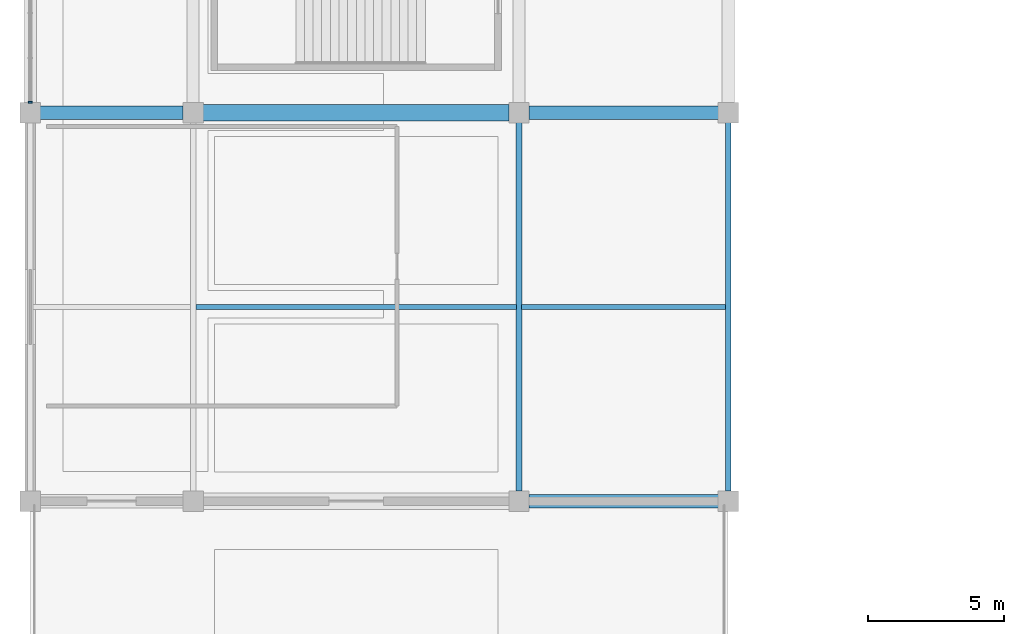
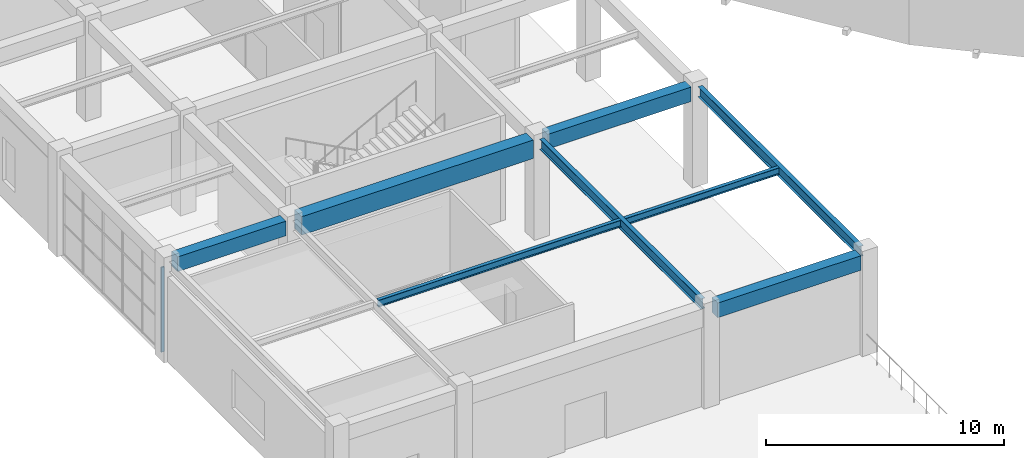
# One storey, part 11 of 70: 8 beams, 1 member, 1 element without a shape of its own.
"""IFC4 building model written with IfcOpenShell, lengths in metres."""

import ifcopenshell
import ifcopenshell.guid

model = None  # the IFC model being written
_history = None  # IfcOwnerHistory: only IFC2X3 demands one
_inside = {}  # id of a spatial element -> (the spatial element, [elements in it])
_under = {}  # id of a project, library or spatial element -> (it, [spatial elements below it])
_declared = {}  # id of a project -> (the project, [libraries it declares])
_typed = {}  # id of a type object -> (the type object, [elements of that type])
_made_of = {}  # id of a material, layer set ... -> (it, [elements and type objects made of it])


def new_model(schema):
    """Start an empty IFC model of exactly this schema.

    Asked for "IFC4X3", IfcOpenShell would pick the latest addendum, in which some entities
    have other attributes; the version numbers below select the first issue.
    IFC2X3 requires an IfcOwnerHistory on every rooted entity: one is made here for all.
    """
    global model, _history
    if schema == "IFC4X3":
        model = ifcopenshell.file(schema_version=(4, 3, 0, 0))
    else:
        model = ifcopenshell.file(schema=schema)
    _inside.clear()
    _under.clear()
    _declared.clear()
    _typed.clear()
    _made_of.clear()
    _history = None
    if model.schema == "IFC2X3":
        org = make("IfcOrganization", Name="unknown")
        user = make(
            "IfcPersonAndOrganization",
            ThePerson=make("IfcPerson", FamilyName="unknown"),
            TheOrganization=org,
        )
        app = make(
            "IfcApplication",
            ApplicationDeveloper=org,
            Version="unknown",
            ApplicationFullName="unknown",
            ApplicationIdentifier="unknown",
        )
        _history = make(
            "IfcOwnerHistory",
            OwningUser=user,
            OwningApplication=app,
            ChangeAction="ADDED",
            CreationDate=0,
        )
    return model


def make(cls, **values):
    """One entity of the class cls with the attributes given. An attribute that is None is left unset."""
    return model.create_entity(
        cls, **{name: value for name, value in values.items() if value is not None}
    )


def rooted(cls, **values):
    """An entity with a GlobalId (a new one), such as an element, a storey or a relation."""
    return make(cls, GlobalId=ifcopenshell.guid.new(), OwnerHistory=_history, **values)


def si_unit(unit_type, name, prefix=None):
    """IfcSIUnit, for example si_unit("LENGTHUNIT", "METRE", prefix="MILLI")."""
    return make("IfcSIUnit", UnitType=unit_type, Prefix=prefix, Name=name)


def assignment(units):
    """IfcUnitAssignment: the units of a project."""
    return None if units is None else make("IfcUnitAssignment", Units=units)


def point(xyz):
    """IfcCartesianPoint."""
    return None if xyz is None else make("IfcCartesianPoint", Coordinates=xyz)


def direction(xyz):
    """IfcDirection."""
    return None if xyz is None else make("IfcDirection", DirectionRatios=xyz)


def frame(location, z_axis=None, x_axis=None):
    """IfcAxis2Placement3D, a coordinate frame: its origin and axes. An axis left out is left unset."""
    return make(
        "IfcAxis2Placement3D",
        Location=point(location),
        Axis=direction(z_axis),
        RefDirection=direction(x_axis),
    )


def frame_2d(location, x_axis=None):
    """IfcAxis2Placement2D, a coordinate frame in the plane: its origin and x axis."""
    return make(
        "IfcAxis2Placement2D", Location=point(location), RefDirection=direction(x_axis)
    )


def origin():
    """The frame at (0, 0, 0) with its axes left unset."""
    return frame((0.0, 0.0, 0.0))


def origin_2d():
    """The frame at (0, 0) in the plane with its x axis left unset."""
    return frame_2d((0.0, 0.0))


def place(relative_to, where):
    """IfcLocalPlacement: puts the frame where relative to a parent placement (None: the world)."""
    return make(
        "IfcLocalPlacement", PlacementRelTo=relative_to, RelativePlacement=where
    )


def context(
    kind, dimensions, precision=None, world=None, true_north=None, identifier=None
):
    """IfcGeometricRepresentationContext, for example the 3D "Model" context."""
    return make(
        "IfcGeometricRepresentationContext",
        ContextIdentifier=identifier,
        ContextType=kind,
        CoordinateSpaceDimension=dimensions,
        Precision=precision,
        WorldCoordinateSystem=world,
        TrueNorth=true_north,
    )


def subcontext(parent, identifier, kind, view, scale=None):
    """IfcGeometricRepresentationSubContext, for example "Body" below "Model"."""
    return make(
        "IfcGeometricRepresentationSubContext",
        ContextIdentifier=identifier,
        ContextType=kind,
        ParentContext=parent,
        TargetScale=scale,
        TargetView=view,
    )


def project(units=None, contexts=None):
    """IfcProject with its units and contexts."""
    return rooted(
        "IfcProject",
        Name="project",
        RepresentationContexts=contexts,
        UnitsInContext=assignment(units),
    )


def spatial(cls, under=None, at=None, **own):
    """A site, building, storey or space (cls), placed at a placement, below another one or the project."""
    s = rooted(cls, ObjectPlacement=at, **own)
    if under is not None:
        _under.setdefault(under.id(), (under, []))[1].append(s)
    return s


def profile(cls, at=None, kind="AREA", **sizes):
    """A parametric profile (cls). Its sizes go by their IFC names, for example OverallWidth=200.0."""
    return make(cls, ProfileType=kind, Position=at, **sizes)


def rectangle(**sizes):
    """IfcRectangleProfileDef."""
    return profile("IfcRectangleProfileDef", **sizes)


def i_section(**sizes):
    """IfcIShapeProfileDef."""
    return profile("IfcIShapeProfileDef", **sizes)


def extrude(swept, where, along, depth):
    """IfcExtrudedAreaSolid: the profile swept, set in the frame where, extruded along a direction by depth."""
    return make(
        "IfcExtrudedAreaSolid",
        SweptArea=swept,
        Position=where,
        ExtrudedDirection=direction(along),
        Depth=depth,
    )


def shape(context_of_items, identifier, shape_type, items):
    """IfcShapeRepresentation: the items that make up one representation, for example the "Body"."""
    return make(
        "IfcShapeRepresentation",
        ContextOfItems=context_of_items,
        RepresentationIdentifier=identifier,
        RepresentationType=shape_type,
        Items=items,
    )


def material(Name=None, Category=None):
    """IfcMaterial."""
    return make("IfcMaterial", Name=Name, Category=Category)


def material_profile(
    of_material, cross_section, Name=None, Category=None, Priority=None
):
    """IfcMaterialProfile: a cross section and its material."""
    return make(
        "IfcMaterialProfile",
        Name=Name,
        Material=of_material,
        Profile=cross_section,
        Priority=Priority,
        Category=Category,
    )


def profile_set(profiles, Name=None, composite=None):
    """IfcMaterialProfileSet."""
    return make(
        "IfcMaterialProfileSet",
        Name=Name,
        MaterialProfiles=profiles,
        CompositeProfile=composite,
    )


def made_of(thing, what):
    """Note that an element or type object is made of a material, layer set ...; save() writes the relation."""
    if what is not None:
        _made_of.setdefault(what.id(), (what, []))[1].append(thing)
    return thing


def type_object(cls, material=None, **own):
    """A type object (cls), such as IfcWallType, which elements share."""
    return made_of(rooted(cls, **own), material)


def element(
    cls,
    number,
    at=None,
    inside=None,
    cuts=None,
    type_object=None,
    material=None,
    context=None,
    identifier="Body",
    shape_type=None,
    held_by="IfcProductDefinitionShape",
    body=None,
    shapes=None,
    **own,
):
    """One element of the class cls, such as IfcWall. Its Tag is "e" and its number.

    at: its placement. inside: the storey or other place that contains it. cuts: it is an
    opening in that element (IfcRelVoidsElement). A single representation is given by context,
    identifier, shape_type and body (its items); several are given by shapes. held_by: the class
    of the entity that holds the representations. save() writes the other relations.
    """
    e = rooted(cls, Tag="e%d" % number, ObjectPlacement=at, **own)
    if body is not None:
        shapes = [shape(context, identifier, shape_type, body)]
    if shapes is not None:
        e.Representation = make(held_by, Representations=shapes)
    if inside is not None:
        _inside.setdefault(inside.id(), (inside, []))[1].append(e)
    if cuts is not None:
        rooted(
            "IfcRelVoidsElement", RelatingBuildingElement=cuts, RelatedOpeningElement=e
        )
    if type_object is not None:
        _typed.setdefault(type_object.id(), (type_object, []))[1].append(e)
    return made_of(e, material)


def aggregate(whole, parts):
    """IfcRelAggregates: a whole, such as a stair, and the parts it consists of."""
    return rooted("IfcRelAggregates", RelatingObject=whole, RelatedObjects=parts)


def save(model, path):
    """Write the relations noted so far, then the file.

    IfcRelAggregates (storeys below a building ...), IfcRelContainedInSpatialStructure (elements
    in a storey), IfcRelDefinesByType, IfcRelAssociatesMaterial and IfcRelDeclares: one each for
    every whole, place, type object, material and project.
    """
    for whole, parts in _under.values():
        aggregate(whole, parts)
    for where, things in _inside.values():
        rooted(
            "IfcRelContainedInSpatialStructure",
            RelatedElements=things,
            RelatingStructure=where,
        )
    for kind, things in _typed.values():
        rooted("IfcRelDefinesByType", RelatedObjects=things, RelatingType=kind)
    for what, things in _made_of.values():
        rooted("IfcRelAssociatesMaterial", RelatedObjects=things, RelatingMaterial=what)
    for by, libraries in _declared.values():
        rooted("IfcRelDeclares", RelatingContext=by, RelatedDefinitions=libraries)
    model.write(path)


model = new_model("IFC4")

# Units and contexts
model_context = context("Model", 3, precision=1e-05, world=origin(), true_north=direction((0.0, 1.0)))
body_context = subcontext(model_context, "Body", "Model", "MODEL_VIEW")
ifc_project = project(units=[si_unit("LENGTHUNIT", "METRE"), si_unit("AREAUNIT", "SQUARE_METRE"), si_unit("VOLUMEUNIT", "CUBIC_METRE"), si_unit("PLANEANGLEUNIT", "RADIAN"), si_unit("MASSUNIT", "GRAM", prefix="KILO")], contexts=[model_context])

# Site, building, storey
site_placement = place(None, origin())
site = spatial("IfcSite", under=ifc_project, at=site_placement, CompositionType="ELEMENT")
building_placement = place(site_placement, origin())
building = spatial("IfcBuilding", under=site, at=building_placement, Name="Cuetzalor Civic Arena", CompositionType="ELEMENT")
storey_placement = place(building_placement, frame((0.0, 0.0, 21.0)))
storey = spatial("IfcBuildingStorey", under=building, at=storey_placement, Name="L04", CompositionType="ELEMENT", Elevation=21.0)

# Beams
ifc_material_1 = material(Name="Concrete C40/50", Category="concrete")
ifc_material_profile_1 = material_profile(ifc_material_1, rectangle(XDim=0.5, YDim=0.75, at=origin_2d()), Name="RC 500x750")
ifc_profile_set_1 = profile_set([ifc_material_profile_1], Name="Concrete C40/50")
beam_type_1 = type_object("IfcBeamType", Name="ConcreteFrameBeam_500x750", PredefinedType="BEAM", material=ifc_profile_set_1)
beam_1_placement = place(storey_placement, frame((-63.635009765625, -48.300048828125, 4.7451171875), z_axis=(1.0, 0.0, 0.0), x_axis=(0.0, 1.0, 0.0)))
element("IfcBeam", 1, at=beam_1_placement, inside=storey, type_object=beam_type_1, Name="Frame Girder V4W-L04-X1091", PredefinedType="BEAM", context=body_context, shape_type="SweptSolid", body=[
    extrude(rectangle(XDim=0.5, YDim=0.75, at=origin_2d()), origin(), (0.0, 0.0, 1.0), 6.969970703125),
])
beam_2_placement = place(storey_placement, frame((-81.635009765625, -34.0, 4.7451171875), z_axis=(1.0, 0.0, 0.0), x_axis=(0.0, 1.0, 0.0)))
element("IfcBeam", 2, at=beam_2_placement, inside=storey, type_object=beam_type_1, Name="Frame Girder V4W-L04-X1092", PredefinedType="BEAM", context=body_context, shape_type="SweptSolid", body=[
    extrude(rectangle(XDim=0.5, YDim=0.75, at=origin_2d()), origin(), (0.0, 0.0, 1.0), 5.27001953125),
])
beam_3_placement = place(storey_placement, frame((-63.635009765625, -34.0, 4.7451171875), z_axis=(1.0, 0.0, 0.0), x_axis=(0.0, 1.0, 0.0)))
element("IfcBeam", 3, at=beam_3_placement, inside=storey, type_object=beam_type_1, Name="Frame Girder V4W-L04-X1094", PredefinedType="BEAM", context=body_context, shape_type="SweptSolid", body=[
    extrude(rectangle(XDim=0.5, YDim=0.75, at=origin_2d()), origin(), (0.0, 0.0, 1.0), 6.969970703125),
])
ifc_material_2 = material(Name="Concrete C40/50", Category="concrete")
ifc_material_profile_2 = material_profile(ifc_material_2, rectangle(XDim=0.60009765625, YDim=0.949951171875, at=origin_2d()), Name="RC 600x950")
ifc_profile_set_2 = profile_set([ifc_material_profile_2], Name="Concrete C40/50")
beam_type_2 = type_object("IfcBeamType", Name="ConcreteFrameBeam_600x950", PredefinedType="BEAM", material=ifc_profile_set_2)
beam_4_placement = place(storey_placement, frame((-75.635009765625, -34.0, 4.64501953125), z_axis=(1.0, 0.0, 0.0), x_axis=(0.0, 1.0, 0.0)))
element("IfcBeam", 4, at=beam_4_placement, inside=storey, type_object=beam_type_2, Name="Frame Girder V4W-L04-X1093", PredefinedType="BEAM", context=body_context, shape_type="SweptSolid", body=[
    extrude(rectangle(XDim=0.60009765625, YDim=0.949951171875, at=origin_2d()), origin(), (0.0, 0.0, 1.0), 11.27001953125),
])

# Curtain wall, member
ifc_material_3 = material(Name="Anodised dark bronze aluminium and low-E solar glass", Category="aluminium")
curtain_wall_type = type_object("IfcCurtainWallType", Name="UnitisedCW_8300x4350", PredefinedType="USERDEFINED", material=ifc_material_3)
curtain_wall_placement = place(storey_placement, origin())
curtain_wall = element("IfcCurtainWall", 5, at=curtain_wall_placement, inside=storey, type_object=curtain_wall_type, Name="V4W Suite Viewing Curtain Wall L04-123", ObjectType="UNITISED CURTAIN WALL", PredefinedType="USERDEFINED")
ifc_material_4 = material(Name="Anodised dark bronze aluminium", Category="aluminium")
ifc_material_profile_3 = material_profile(ifc_material_4, rectangle(XDim=0.06494140625, YDim=0.14990234375, at=origin_2d()), Name="ALU MULLION 65x150")
ifc_profile_set_3 = profile_set([ifc_material_profile_3], Name="Anodised dark bronze aluminium")
member_type = type_object("IfcMemberType", Name="CurtainWallMullion_60x150", PredefinedType="MULLION", material=ifc_profile_set_3)
member_placement = place(storey_placement, frame((-82.0, -33.610595703125, 0.0), z_axis=(0.0, 0.0, 1.0), x_axis=(0.0, 1.0, 0.0)))
member = element("IfcMember", 6, at=member_placement, type_object=member_type, Name="CW-46 mullion 1", PredefinedType="MULLION", context=body_context, shape_type="SweptSolid", body=[
    extrude(rectangle(XDim=0.06494140625, YDim=0.14990234375, at=origin_2d()), origin(), (0.0, 0.0, 1.0), 4.360107421875),
])
aggregate(curtain_wall, [member])

# Beams
ifc_material_5 = material(Name="Steel S355", Category="steel")
ifc_material_profile_4 = material_profile(ifc_material_5, i_section(OverallWidth=0.1708984375, OverallDepth=0.35498046875, WebThickness=0.007080078125, FlangeThickness=0.01171875, at=origin_2d()), Name="W360x51")
ifc_profile_set_4 = profile_set([ifc_material_profile_4], Name="Steel S355")
beam_type_3 = type_object("IfcBeamType", Name="SecondaryFloorJoist_W360", PredefinedType="JOIST", material=ifc_profile_set_4)
beam_5_placement = place(storey_placement, frame((-75.903564453125, -41.14990234375, 4.9423828125), z_axis=(1.0, 0.0, 0.0), x_axis=(0.0, 1.0, 0.0)))
element("IfcBeam", 7, at=beam_5_placement, inside=storey, type_object=beam_type_3, Name="Secondary Floor Joist V4W-L04-0344", PredefinedType="JOIST", context=body_context, shape_type="SweptSolid", body=[
    extrude(i_section(OverallWidth=0.1708984375, OverallDepth=0.35498046875, WebThickness=0.007080078125, FlangeThickness=0.01171875, at=origin_2d()), origin(), (0.0, 0.0, 1.0), 11.80712890625),
])
beam_6_placement = place(storey_placement, frame((-63.903564453125, -41.14990234375, 4.9423828125), z_axis=(1.0, 0.0, 0.0), x_axis=(0.0, 1.0, 0.0)))
element("IfcBeam", 8, at=beam_6_placement, inside=storey, type_object=beam_type_3, Name="Secondary Floor Joist V4W-L04-0350", PredefinedType="JOIST", context=body_context, shape_type="SweptSolid", body=[
    extrude(i_section(OverallWidth=0.1708984375, OverallDepth=0.35498046875, WebThickness=0.007080078125, FlangeThickness=0.01171875, at=origin_2d()), origin(), (0.0, 0.0, 1.0), 7.507080078125),
])
ifc_material_6 = material(Name="Steel S355", Category="steel")
ifc_material_profile_5 = material_profile(ifc_material_6, i_section(OverallWidth=0.208984375, OverallDepth=0.532958984375, WebThickness=0.01025390625, FlangeThickness=0.015625, at=origin_2d()), Name="W530x92")
ifc_profile_set_5 = profile_set([ifc_material_profile_5], Name="Steel S355")
beam_type_4 = type_object("IfcBeamType", Name="SteelCollarGirder_W530", PredefinedType="BEAM", material=ifc_profile_set_5)
for number, where, z_axis, x_axis, name in (
    (9, (-64.0, -47.93505859375, 4.853515625), (0.0, 1.0, 0.0), (-1.0, 0.0, 0.0), "Frame Girder V4W-L04-Y1132"),
    (10, (-56.300048828125, -47.93505859375, 4.853515625), (0.0, 1.0, 0.0), (-1.0, 0.0, 0.0), "Frame Girder V4W-L04-Y1140"),
):
    element("IfcBeam", number, at=place(storey_placement, frame(where, z_axis=z_axis, x_axis=x_axis)), inside=storey, type_object=beam_type_4, Name=name, PredefinedType="BEAM", context=body_context, shape_type="SweptSolid", body=[
        extrude(i_section(OverallWidth=0.208984375, OverallDepth=0.532958984375, WebThickness=0.01025390625, FlangeThickness=0.015625, at=origin_2d()), origin(), (0.0, 0.0, 1.0), 13.570068359375),
    ])

save(model, "model.ifc")
